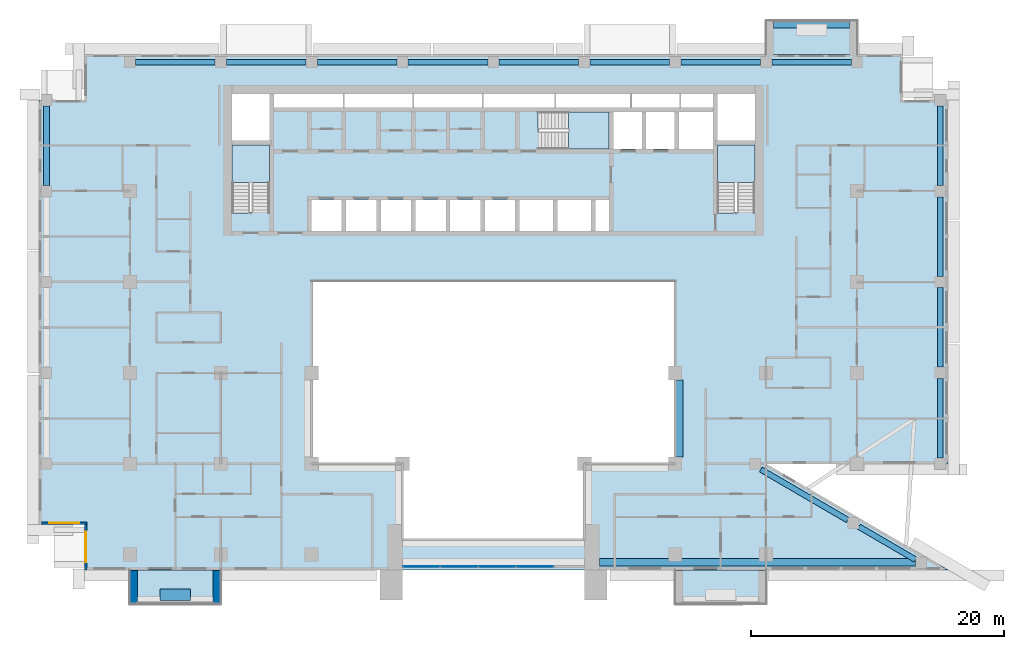
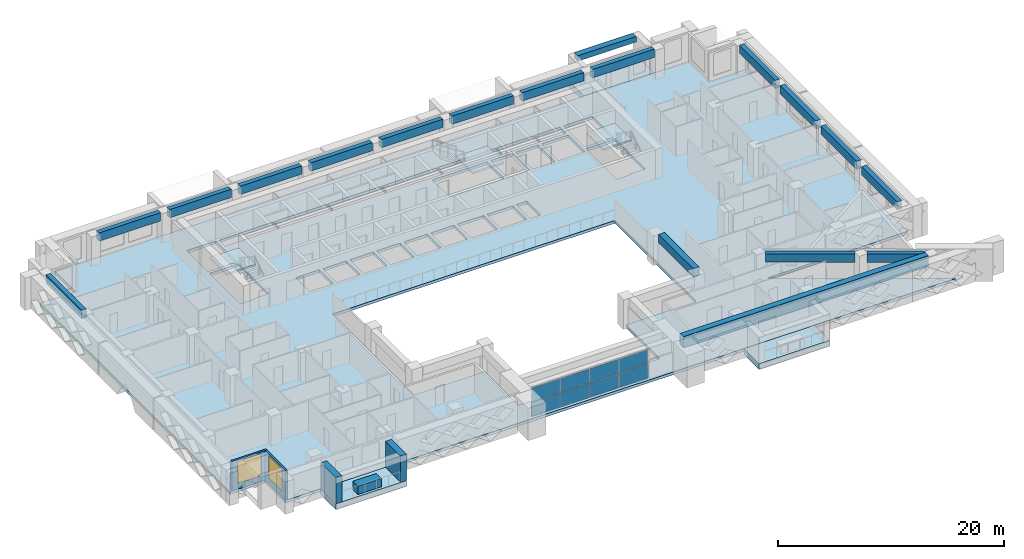
# One storey, part 5 of 19: 18 beams, 8 plates, 7 slabs, 5 walls, 2 windows, 2 openings, 4 elements without a shape of their own.
"""IFC4 building model written with IfcOpenShell, lengths in metres."""

from ifc_helpers import new_model, si_unit, direction, frame, frame_2d, origin, origin_2d, place, context, subcontext, project, spatial, polyline, rectangle, outline, extrude, source, transform, mapped, material, layer, layer_set, material_profile, profile_set, type_object, element, fill, aggregate, save


model = new_model("IFC4")

# Units and contexts
model_context = context("Model", 3, precision=1e-05, world=origin(), true_north=direction((0.0, 1.0)))
body_context = subcontext(model_context, "Body", "Model", "MODEL_VIEW")
ifc_project = project(units=[si_unit("LENGTHUNIT", "METRE"), si_unit("AREAUNIT", "SQUARE_METRE"), si_unit("VOLUMEUNIT", "CUBIC_METRE"), si_unit("PLANEANGLEUNIT", "RADIAN"), si_unit("MASSUNIT", "GRAM", prefix="KILO")], contexts=[model_context])

# Site, building, storey
site_placement = place(None, origin())
site = spatial("IfcSite", under=ifc_project, at=site_placement, CompositionType="ELEMENT")
building_placement = place(site_placement, origin())
building = spatial("IfcBuilding", under=site, at=building_placement, Name="Saffron Iwan Residences", CompositionType="ELEMENT")
storey_placement = place(building_placement, frame((0.0, 0.0, 116.5)))
storey = spatial("IfcBuildingStorey", under=building, at=storey_placement, Name="L30", CompositionType="ELEMENT", Elevation=116.5)

# Beams
ifc_material_1 = material(Name="Concrete C50/60", Category="concrete")
ifc_material_profile_1 = material_profile(ifc_material_1, rectangle(XDim=0.449951171875, YDim=0.89990234375, at=origin_2d()), Name="RC 450x900")
ifc_profile_set_1 = profile_set([ifc_material_profile_1], Name="Concrete C50/60")
beam_type_1 = type_object("IfcBeamType", Name="SPANDREL BEAM RC 450x900 C50/60 TOP 3200", PredefinedType="SPANDREL", material=ifc_profile_set_1)
shared_shape_1 = source(origin(), body_context, "Body", "SweptSolid", [
    extrude(rectangle(XDim=0.449951171875, YDim=0.89990234375, at=origin_2d()), origin(), (0.0, 0.0, 1.0), 5.184814453125),
])
beam_1_placement = place(storey_placement, frame((79.34765625, 43.019287109375, 2.75), z_axis=(0.86377206948, -0.503882736345, 0.0), x_axis=(0.503882736345, 0.86377206948, 0.0)))
element("IfcBeam", 1, at=beam_1_placement, inside=storey, type_object=beam_type_1, Name="Spandrel beam", PredefinedType="SPANDREL", context=body_context, shape_type="MappedRepresentation", body=[
    mapped(shared_shape_1, transform((0.0, 0.0, 0.0))),
])
shared_shape_2 = source(origin(), body_context, "Body", "SweptSolid", [
    extrude(rectangle(XDim=0.449951171875, YDim=0.89990234375, at=origin_2d()), origin(), (0.0, 0.0, 1.0), 7.9501953125),
])
beam_2_placement = place(storey_placement, frame((71.58056640625, 47.550048828125, 2.75), z_axis=(0.863778900898, -0.503871025524, 0.0), x_axis=(0.503871025524, 0.863778900898, 0.0)))
element("IfcBeam", 2, at=beam_2_placement, inside=storey, type_object=beam_type_1, Name="Spandrel beam", PredefinedType="SPANDREL", context=body_context, shape_type="MappedRepresentation", body=[
    mapped(shared_shape_2, transform((0.0, 0.0, 0.0))),
])
shared_shape_3 = source(origin(), body_context, "Body", "SweptSolid", [
    extrude(rectangle(XDim=0.449951171875, YDim=0.89990234375, at=origin_2d()), origin(), (0.0, 0.0, 1.0), 6.300048828125),
])
for number, where, z_axis, x_axis, name in (
    (3, (85.800048828125, 54.75, 2.75), (0.0, -1.0, 0.0), (1.0, 0.0, 0.0), "Spandrel beam"),
    (4, (85.800048828125, 61.949951171875, 2.75), (0.0, -1.0, 0.0), (1.0, 0.0, 0.0), "Spandrel beam"),
    (5, (15.0, 70.050048828125, 2.75), (0.0, 1.0, 0.0), (-1.0, 0.0, 0.0), "Spandrel beam"),
    (6, (85.800048828125, 76.35009765625, 2.75), (0.0, -1.0, 0.0), (1.0, 0.0, 0.0), "Spandrel beam"),
    (7, (22.050048828125, 79.800048828125, 2.75), (1.0, 0.0, 0.0), (0.0, 1.0, 0.0), "Spandrel beam"),
    (8, (29.25, 79.800048828125, 2.75), (1.0, 0.0, 0.0), (0.0, 1.0, 0.0), "Spandrel beam"),
    (9, (36.449951171875, 79.800048828125, 2.75), (1.0, 0.0, 0.0), (0.0, 1.0, 0.0), "Spandrel beam"),
    (10, (43.64990234375, 79.800048828125, 2.75), (1.0, 0.0, 0.0), (0.0, 1.0, 0.0), "Spandrel beam"),
    (11, (58.050048828125, 79.800048828125, 2.75), (1.0, 0.0, 0.0), (0.0, 1.0, 0.0), "Spandrel beam"),
    (12, (65.25, 79.800048828125, 2.75), (1.0, 0.0, 0.0), (0.0, 1.0, 0.0), "Spandrel beam"),
    (13, (72.449951171875, 79.800048828125, 2.75), (1.0, 0.0, 0.0), (0.0, 1.0, 0.0), "Spandrel beam"),
):
    element("IfcBeam", number, at=place(storey_placement, frame(where, z_axis=z_axis, x_axis=x_axis)), inside=storey, type_object=beam_type_1, Name=name, PredefinedType="SPANDREL", context=body_context, shape_type="MappedRepresentation", body=[
        mapped(shared_shape_3, transform((0.0, 0.0, 0.0))),
    ])
shared_shape_4 = source(origin(), body_context, "Body", "SweptSolid", [
    extrude(rectangle(XDim=0.449951171875, YDim=0.89990234375, at=origin_2d()), origin(), (0.0, 0.0, 1.0), 6.2998046875),
])
for number, where, z_axis, x_axis, name in (
    (14, (85.800048828125, 69.14990234375, 2.75), (0.0, -1.0, 0.0), (1.0, 0.0, 0.0), "Spandrel beam"),
    (15, (50.85009765625, 79.800048828125, 2.75), (1.0, 0.0, 0.0), (0.0, 1.0, 0.0), "Spandrel beam"),
):
    element("IfcBeam", number, at=place(storey_placement, frame(where, z_axis=z_axis, x_axis=x_axis)), inside=storey, type_object=beam_type_1, Name=name, PredefinedType="SPANDREL", context=body_context, shape_type="MappedRepresentation", body=[
        mapped(shared_shape_4, transform((0.0, 0.0, 0.0))),
    ])
ifc_material_profile_2 = material_profile(ifc_material_1, rectangle(XDim=0.60009765625, YDim=1.199951171875, at=origin_2d()), Name="RC 600x1200")
ifc_profile_set_2 = profile_set([ifc_material_profile_2], Name="Concrete C50/60")
beam_type_2 = type_object("IfcBeamType", Name="LINTEL BEAM RC 600x1200 C50/60 TOP 3200", PredefinedType="LINTEL", material=ifc_profile_set_2)
shared_shape_5 = source(origin(), body_context, "Body", "SweptSolid", [
    extrude(rectangle(XDim=0.60009765625, YDim=1.199951171875, at=origin_2d()), origin(), (0.0, 0.0, 1.0), 25.026123046875),
])
beam_3_placement = place(storey_placement, frame((83.826171875, 40.199951171875, 2.60009765625), z_axis=(-1.0, 0.0, 0.0), x_axis=(0.0, -1.0, 0.0)))
element("IfcBeam", 16, at=beam_3_placement, inside=storey, type_object=beam_type_2, Name="Lintel beam over the iwan", PredefinedType="LINTEL", context=body_context, shape_type="MappedRepresentation", body=[
    mapped(shared_shape_5, transform((0.0, 0.0, 0.0))),
])
ifc_material_profile_3 = material_profile(ifc_material_1, rectangle(XDim=0.60009765625, YDim=0.89990234375, at=origin_2d()), Name="RC 600x900")
ifc_profile_set_3 = profile_set([ifc_material_profile_3], Name="Concrete C50/60")
beam_type_3 = type_object("IfcBeamType", Name="BEAM RC 600x900 C50/60 TOP 3200", PredefinedType="BEAM", material=ifc_profile_set_3)
shared_shape_6 = source(origin(), body_context, "Body", "SweptSolid", [
    extrude(rectangle(XDim=0.60009765625, YDim=0.89990234375, at=origin_2d()), origin(), (0.0, 0.0, 1.0), 6.099853515625),
])
beam_4_placement = place(storey_placement, frame((65.10009765625, 54.64990234375, 2.75), z_axis=(0.0, -1.0, 0.0), x_axis=(1.0, 0.0, 0.0)))
element("IfcBeam", 17, at=beam_4_placement, inside=storey, type_object=beam_type_3, Name="Atrium edge beam", PredefinedType="BEAM", context=body_context, shape_type="MappedRepresentation", body=[
    mapped(shared_shape_6, transform((0.0, 0.0, 0.0))),
])
ifc_material_2 = material(Name="Concrete C50/60 white painted", Category="concrete")
ifc_material_profile_4 = material_profile(ifc_material_2, rectangle(XDim=0.60009765625, YDim=0.60009765625, at=origin_2d()), Name="BALCONY FASCIA BEAM 600 x 600")
ifc_profile_set_4 = profile_set([ifc_material_profile_4], Name="Concrete C50/60 white painted")
beam_type_4 = type_object("IfcBeamType", Name="BALCONY FASCIA BEAM 600 x 600", PredefinedType="BEAM", material=ifc_profile_set_4)
shared_shape_7 = source(origin(), body_context, "Body", "SweptSolid", [
    extrude(rectangle(XDim=0.60009765625, YDim=0.60009765625, at=origin_2d()), origin(), (0.0, 0.0, 1.0), 6.0),
])
beam_5_placement = place(storey_placement, frame((78.60009765625, 82.800048828125, 2.550048828125), z_axis=(-1.0, 0.0, 0.0), x_axis=(0.0, -1.0, 0.0)))
element("IfcBeam", 18, at=beam_5_placement, inside=storey, type_object=beam_type_4, Name="Balcony fascia beam L30 F5-0", PredefinedType="BEAM", context=body_context, shape_type="MappedRepresentation", body=[
    mapped(shared_shape_7, transform((0.0, 0.0, 0.0))),
])

# Slabs
ifc_layer_1 = layer(ifc_material_2, 0.60009765625)
ifc_layer_set_1 = layer_set([ifc_layer_1], Name="Concrete C50/60 white painted")
slab_type_1 = type_object("IfcSlabType", Name="BALCONY FRAME SLAB 600", PredefinedType="FLOOR", material=ifc_layer_set_1)
slab_1_placement = place(storey_placement, frame((0.0, 0.0, -0.60009765625)))
element("IfcSlab", 19, at=slab_1_placement, inside=storey, type_object=slab_type_1, Name="Balcony frame slab L30 F5-0", PredefinedType="FLOOR", context=body_context, shape_type="SweptSolid", body=[
    extrude(outline(polyline([(79.199951171875, 83.10009765625), (72.0, 83.10009765625), (72.0, 80.39990234375), (79.199951171875, 80.39990234375), (79.199951171875, 83.10009765625)])), origin(), (0.0, 0.0, 1.0), 0.60009765625),
])
slab_2_placement = place(storey_placement, frame((0.0, 0.0, -0.60009765625)))
element("IfcSlab", 20, at=slab_2_placement, inside=storey, type_object=slab_type_1, Name="Balcony frame slab L30 11-0", PredefinedType="FLOOR", context=body_context, shape_type="SweptSolid", body=[
    extrude(outline(polyline([(21.60009765625, 36.89990234375), (28.800048828125, 36.89990234375), (28.800048828125, 39.60009765625), (21.60009765625, 39.60009765625), (21.60009765625, 36.89990234375)])), origin(), (0.0, 0.0, 1.0), 0.60009765625),
])
slab_3_placement = place(storey_placement, frame((0.0, 0.0, -0.60009765625)))
element("IfcSlab", 21, at=slab_3_placement, inside=storey, type_object=slab_type_1, Name="Balcony frame slab L30 11-1", PredefinedType="FLOOR", context=body_context, shape_type="SweptSolid", body=[
    extrude(outline(polyline([(64.800048828125, 36.89990234375), (72.0, 36.89990234375), (72.0, 39.60009765625), (64.800048828125, 39.60009765625), (64.800048828125, 36.89990234375)])), origin(), (0.0, 0.0, 1.0), 0.60009765625),
])
ifc_material_3 = material(Name="Concrete C40/50", Category="concrete")
ifc_layer_2 = layer(ifc_material_3, 0.300048828125)
ifc_layer_set_2 = layer_set([ifc_layer_2], Name="Concrete C40/50")
slab_type_2 = type_object("IfcSlabType", Name="PT PLATE 300 C40/50", PredefinedType="FLOOR", material=ifc_layer_set_2)
slab_4_placement = place(storey_placement, frame((0.0, 0.0, -0.300048828125)))
element("IfcSlab", 22, at=slab_4_placement, inside=storey, type_object=slab_type_2, Name="Floor slab L30", PredefinedType="FLOOR", context=body_context, shape_type="SweptSolid", body=[
    extrude(outline(polyline([(14.39990234375, 43.199951171875), (14.39990234375, 76.800048828125), (18.0, 76.800048828125), (18.0, 80.39990234375), (82.800048828125, 80.39990234375), (82.800048828125, 76.800048828125), (86.39990234375, 76.800048828125), (86.39990234375, 48.0), (72.0, 48.0), (86.39990234375, 39.60009765625), (18.0, 39.60009765625), (18.0, 43.199951171875), (14.39990234375, 43.199951171875)]), holes=[polyline([(64.800048828125, 48.0), (64.800048828125, 62.39990234375), (36.0, 62.39990234375), (36.0, 48.0), (43.199951171875, 48.0), (43.199951171875, 42.0), (57.60009765625, 42.0), (57.60009765625, 48.0), (64.800048828125, 48.0)]), polyline([(38.375, 68.875), (35.97509765625, 68.875), (35.97509765625, 66.449951171875), (38.375, 66.449951171875), (38.375, 68.875)]), polyline([(41.125, 66.449951171875), (41.125, 68.875), (38.72509765625, 68.875), (38.72509765625, 66.449951171875), (41.125, 66.449951171875)]), polyline([(43.875, 66.449951171875), (43.875, 68.875), (41.47509765625, 68.875), (41.47509765625, 66.449951171875), (43.875, 66.449951171875)]), polyline([(46.625, 68.875), (44.22509765625, 68.875), (44.22509765625, 66.449951171875), (46.625, 66.449951171875), (46.625, 68.875)]), polyline([(49.375, 66.449951171875), (49.375, 68.875), (46.97509765625, 68.875), (46.97509765625, 66.449951171875), (49.375, 66.449951171875)]), polyline([(52.125, 66.449951171875), (52.125, 68.875), (49.72509765625, 68.875), (49.72509765625, 66.449951171875), (52.125, 66.449951171875)]), polyline([(29.699951171875, 73.25), (29.699951171875, 67.949951171875), (29.699951171875, 67.8505859375), (31.10009765625, 67.8505859375), (31.10009765625, 67.949951171875), (32.64990234375, 67.949951171875), (32.64990234375, 73.25), (29.699951171875, 73.25)]), polyline([(32.64990234375, 73.60009765625), (32.64990234375, 77.300048828125), (29.699951171875, 77.300048828125), (29.699951171875, 73.60009765625), (32.64990234375, 73.60009765625)]), polyline([(38.5, 76.22509765625), (38.5, 77.300048828125), (33.0, 77.300048828125), (33.0, 76.22509765625), (38.5, 76.22509765625)]), polyline([(44.0, 77.300048828125), (38.60009765625, 77.300048828125), (38.60009765625, 76.22509765625), (44.0, 76.22509765625), (44.0, 77.300048828125)]), polyline([(49.5, 76.22509765625), (49.5, 77.300048828125), (44.10009765625, 77.300048828125), (44.10009765625, 76.22509765625), (49.5, 76.22509765625)]), polyline([(55.25, 76.22509765625), (55.25, 77.300048828125), (49.60009765625, 77.300048828125), (49.60009765625, 76.22509765625), (55.25, 76.22509765625)]), polyline([(55.125, 68.875), (52.47509765625, 68.875), (52.47509765625, 66.449951171875), (55.125, 66.449951171875), (55.125, 68.875)]), polyline([(58.125, 66.449951171875), (58.125, 68.875), (55.47509765625, 68.875), (55.47509765625, 66.449951171875), (58.125, 66.449951171875)]), polyline([(59.550048828125, 66.449951171875), (59.550048828125, 68.875), (58.47509765625, 68.875), (58.47509765625, 66.449951171875), (59.550048828125, 66.449951171875)]), polyline([(68.14990234375, 73.25), (68.14990234375, 67.949951171875), (68.14990234375, 67.8505859375), (69.550048828125, 67.8505859375), (69.550048828125, 67.949951171875), (71.10009765625, 67.949951171875), (71.10009765625, 73.25), (68.14990234375, 73.25)]), polyline([(53.925537109375, 74.47509765625), (54.02490234375, 74.47509765625), (54.02490234375, 72.925048828125), (59.550048828125, 72.925048828125), (59.550048828125, 75.875), (54.02490234375, 75.875), (53.925537109375, 75.875), (53.925537109375, 74.47509765625)]), polyline([(62.14990234375, 72.925048828125), (62.14990234375, 75.875), (59.89990234375, 75.875), (59.89990234375, 72.925048828125), (62.14990234375, 72.925048828125)]), polyline([(64.75, 75.875), (62.5, 75.875), (62.5, 72.925048828125), (64.75, 72.925048828125), (64.75, 75.875)]), polyline([(67.800048828125, 72.925048828125), (67.800048828125, 75.875), (65.10009765625, 75.875), (65.10009765625, 72.925048828125), (67.800048828125, 72.925048828125)]), polyline([(71.10009765625, 73.60009765625), (71.10009765625, 77.300048828125), (68.14990234375, 77.300048828125), (68.14990234375, 73.60009765625), (71.10009765625, 73.60009765625)]), polyline([(61.25, 77.300048828125), (55.35009765625, 77.300048828125), (55.35009765625, 76.22509765625), (61.25, 76.22509765625), (61.25, 77.300048828125)]), polyline([(65.14990234375, 76.22509765625), (65.14990234375, 77.300048828125), (61.35009765625, 77.300048828125), (61.35009765625, 76.22509765625), (65.14990234375, 76.22509765625)]), polyline([(67.800048828125, 76.22509765625), (67.800048828125, 77.300048828125), (65.25, 77.300048828125), (65.25, 76.22509765625), (67.800048828125, 76.22509765625)])]), origin(), (0.0, 0.0, 1.0), 0.300048828125),
])

# Stair, slab
stair_type = type_object("IfcStairType", Name="Stair ST-CORE", PredefinedType="HALF_TURN_STAIR", material=ifc_material_1)
stair_1_placement = place(storey_placement, origin())
stair_1 = element("IfcStair", 23, at=stair_1_placement, inside=storey, type_object=stair_type, Name="L30 Exit Stair ST-W", PredefinedType="HALF_TURN_STAIR")
ifc_layer_3 = layer(ifc_material_1, 0.199951171875)
ifc_layer_set_3 = layer_set([ifc_layer_3], Name="Concrete C50/60")
slab_type_3 = type_object("IfcSlabType", Name="Stair landing SL-RC", PredefinedType="LANDING", material=ifc_layer_set_3)
slab_5_placement = place(storey_placement, frame((0.0, 0.0, 1.5498046875)))
slab_5 = element("IfcSlab", 24, at=slab_5_placement, type_object=slab_type_3, Name="ST-W landing 1", PredefinedType="LANDING", context=body_context, shape_type="SweptSolid", body=[
    extrude(outline(polyline([(32.64990234375, 70.280029296875), (32.64990234375, 73.25), (29.699951171875, 73.25), (29.699951171875, 70.280029296875), (32.64990234375, 70.280029296875)])), origin(), (0.0, 0.0, 1.0), 0.2001953125),
])
aggregate(stair_1, [slab_5])

stair_2_placement = place(storey_placement, origin())
stair_2 = element("IfcStair", 25, at=stair_2_placement, inside=storey, type_object=stair_type, Name="L30 Exit Stair ST-C", PredefinedType="HALF_TURN_STAIR")
slab_6_placement = place(storey_placement, frame((0.0, 0.0, 1.5498046875)))
slab_6 = element("IfcSlab", 26, at=slab_6_placement, type_object=slab_type_3, Name="ST-C landing 1", PredefinedType="LANDING", context=body_context, shape_type="SweptSolid", body=[
    extrude(outline(polyline([(56.35498046875, 72.925048828125), (59.550048828125, 72.925048828125), (59.550048828125, 75.875), (56.35498046875, 75.875), (56.35498046875, 72.925048828125)])), origin(), (0.0, 0.0, 1.0), 0.2001953125),
])
aggregate(stair_2, [slab_6])

stair_3_placement = place(storey_placement, origin())
stair_3 = element("IfcStair", 27, at=stair_3_placement, inside=storey, type_object=stair_type, Name="L30 Exit Stair ST-E", PredefinedType="HALF_TURN_STAIR")
slab_7_placement = place(storey_placement, frame((0.0, 0.0, 1.5498046875)))
slab_7 = element("IfcSlab", 28, at=slab_7_placement, type_object=slab_type_3, Name="ST-E landing 1", PredefinedType="LANDING", context=body_context, shape_type="SweptSolid", body=[
    extrude(outline(polyline([(71.10009765625, 70.280029296875), (71.10009765625, 73.25), (68.14990234375, 73.25), (68.14990234375, 70.280029296875), (71.10009765625, 70.280029296875)])), origin(), (0.0, 0.0, 1.0), 0.2001953125),
])
aggregate(stair_3, [slab_7])

# Curtain wall, plates
ifc_material_4 = material(Name="Clear glass, laminated double glazed", Category="glass")
ifc_layer_4 = layer(ifc_material_4, 0.199951171875)
ifc_layer_set_4 = layer_set([ifc_layer_4], Name="Clear glass, laminated double glazed")
curtain_wall_type = type_object("IfcCurtainWallType", Name="CW-B IWAN PORTAL", PredefinedType="NOTDEFINED", material=ifc_layer_set_4)
curtain_wall_placement = place(storey_placement, origin())
curtain_wall = element("IfcCurtainWall", 29, at=curtain_wall_placement, inside=storey, type_object=curtain_wall_type, Name="Iwan portal glazing L30.1", PredefinedType="NOTDEFINED")
ifc_layer_5 = layer(ifc_material_4, 0.028076171875)
ifc_layer_set_5 = layer_set([ifc_layer_5], Name="Clear glass, laminated double glazed")
plate_type = type_object("IfcPlateType", Name="CW-B PANEL 28", PredefinedType="CURTAIN_PANEL", material=ifc_layer_set_5)
shared_shape_8 = source(origin(), body_context, "Body", "SweptSolid", [
    extrude(rectangle(XDim=2.909912109375, YDim=0.028076171875, at=origin_2d()), origin(), (0.0, 0.0, 1.0), 1.510009765625),
])
plate_1_placement = place(storey_placement, frame((44.715087890625, 39.85009765625, 0.06005859375), z_axis=(0.0, 0.0, 1.0), x_axis=(1.0, 0.0, 0.0)))
plate_1 = element("IfcPlate", 30, at=plate_1_placement, type_object=plate_type, Name="CW-B panel 1.1", PredefinedType="CURTAIN_PANEL", context=body_context, shape_type="MappedRepresentation", body=[
    mapped(shared_shape_8, transform((0.0, 0.0, 0.0))),
])
plate_2_placement = place(storey_placement, frame((44.715087890625, 39.85009765625, 1.6298828125), z_axis=(0.0, 0.0, 1.0), x_axis=(1.0, 0.0, 0.0)))
plate_2 = element("IfcPlate", 31, at=plate_2_placement, type_object=plate_type, Name="CW-B panel 1.2", PredefinedType="CURTAIN_PANEL", context=body_context, shape_type="MappedRepresentation", body=[
    mapped(shared_shape_8, transform((0.0, 0.0, 0.0))),
])
plate_3_placement = place(storey_placement, frame((53.68505859375, 39.85009765625, 0.06005859375), z_axis=(0.0, 0.0, 1.0), x_axis=(1.0, 0.0, 0.0)))
plate_3 = element("IfcPlate", 32, at=plate_3_placement, type_object=plate_type, Name="CW-B panel 4.1", PredefinedType="CURTAIN_PANEL", context=body_context, shape_type="MappedRepresentation", body=[
    mapped(shared_shape_8, transform((0.0, 0.0, 0.0))),
])
plate_4_placement = place(storey_placement, frame((53.68505859375, 39.85009765625, 1.6298828125), z_axis=(0.0, 0.0, 1.0), x_axis=(1.0, 0.0, 0.0)))
plate_4 = element("IfcPlate", 33, at=plate_4_placement, type_object=plate_type, Name="CW-B panel 4.2", PredefinedType="CURTAIN_PANEL", context=body_context, shape_type="MappedRepresentation", body=[
    mapped(shared_shape_8, transform((0.0, 0.0, 0.0))),
])
shared_shape_9 = source(origin(), body_context, "Body", "SweptSolid", [
    extrude(rectangle(XDim=2.93994140625, YDim=0.028076171875, at=origin_2d()), origin(), (0.0, 0.0, 1.0), 1.510009765625),
])
plate_5_placement = place(storey_placement, frame((47.699951171875, 39.85009765625, 0.06005859375), z_axis=(0.0, 0.0, 1.0), x_axis=(1.0, 0.0, 0.0)))
plate_5 = element("IfcPlate", 34, at=plate_5_placement, type_object=plate_type, Name="CW-B panel 2.1", PredefinedType="CURTAIN_PANEL", context=body_context, shape_type="MappedRepresentation", body=[
    mapped(shared_shape_9, transform((0.0, 0.0, 0.0))),
])
plate_6_placement = place(storey_placement, frame((47.699951171875, 39.85009765625, 1.6298828125), z_axis=(0.0, 0.0, 1.0), x_axis=(1.0, 0.0, 0.0)))
plate_6 = element("IfcPlate", 35, at=plate_6_placement, type_object=plate_type, Name="CW-B panel 2.2", PredefinedType="CURTAIN_PANEL", context=body_context, shape_type="MappedRepresentation", body=[
    mapped(shared_shape_9, transform((0.0, 0.0, 0.0))),
])
plate_7_placement = place(storey_placement, frame((50.699951171875, 39.85009765625, 0.06005859375), z_axis=(0.0, 0.0, 1.0), x_axis=(1.0, 0.0, 0.0)))
plate_7 = element("IfcPlate", 36, at=plate_7_placement, type_object=plate_type, Name="CW-B panel 3.1", PredefinedType="CURTAIN_PANEL", context=body_context, shape_type="MappedRepresentation", body=[
    mapped(shared_shape_9, transform((0.0, 0.0, 0.0))),
])
plate_8_placement = place(storey_placement, frame((50.699951171875, 39.85009765625, 1.6298828125), z_axis=(0.0, 0.0, 1.0), x_axis=(1.0, 0.0, 0.0)))
plate_8 = element("IfcPlate", 37, at=plate_8_placement, type_object=plate_type, Name="CW-B panel 3.2", PredefinedType="CURTAIN_PANEL", context=body_context, shape_type="MappedRepresentation", body=[
    mapped(shared_shape_9, transform((0.0, 0.0, 0.0))),
])
aggregate(curtain_wall, [plate_1, plate_2, plate_5, plate_6, plate_7, plate_8, plate_3, plate_4])

# Walls
ifc_layer_6 = layer(ifc_material_2, 0.60009765625)
ifc_layer_set_6 = layer_set([ifc_layer_6], Name="Concrete C50/60 white painted")
wall_type_1 = type_object("IfcWallType", Name="BALCONY FIN 600", PredefinedType="SOLIDWALL", material=ifc_layer_set_6)
for number, where, z_axis, x_axis, name in (
    (38, (21.89990234375, 39.550048828125, 0.0), (0.0, 0.0, 1.0), (0.0, -1.0, 0.0), "Balcony fin L30 11-0a"),
    (39, (28.5, 39.550048828125, 0.0), (0.0, 0.0, 1.0), (0.0, -1.0, 0.0), "Balcony fin L30 11-0b"),
):
    element("IfcWall", number, at=place(storey_placement, frame(where, z_axis=z_axis, x_axis=x_axis)), inside=storey, type_object=wall_type_1, Name=name, PredefinedType="SOLIDWALL", context=body_context, shape_type="SweptSolid", body=[
        extrude(rectangle(XDim=2.650146484375, YDim=0.60009765625, at=frame_2d((1.3251953125, 0.0))), origin(), (0.0, 0.0, 1.0), 2.85009765625),
    ])
ifc_material_5 = material(Name="Concrete C35/45 white painted", Category="concrete")
ifc_layer_7 = layer(ifc_material_5, 0.14990234375)
ifc_layer_set_7 = layer_set([ifc_layer_7], Name="Concrete C35/45 white painted")
wall_type_2 = type_object("IfcWallType", Name="BALCONY PLANTER", PredefinedType="SOLIDWALL", material=ifc_layer_set_7)
wall_1_placement = place(storey_placement, frame((24.0, 37.625, 0.0), z_axis=(0.0, 0.0, 1.0), x_axis=(1.0, 0.0, 0.0)))
element("IfcWall", 40, at=wall_1_placement, inside=storey, type_object=wall_type_2, Name="PLANTER L30 11-0", PredefinedType="SOLIDWALL", context=body_context, shape_type="SweptSolid", body=[
    extrude(rectangle(XDim=2.39990234375, YDim=0.89990234375, at=frame_2d((1.199951171875, 0.0))), origin(), (0.0, 0.0, 1.0), 0.89990234375),
])

# Wall, opening, window
ifc_layer_8 = layer(ifc_material_3, 0.199951171875)
ifc_layer_set_8 = layer_set([ifc_layer_8], Name="Concrete C40/50")
wall_type_3 = type_object("IfcWallType", Name="EXTERNAL WALL 200", PredefinedType="SOLIDWALL", material=ifc_layer_set_8)
wall_2_placement = place(storey_placement, frame((14.60009765625, 43.300048828125, 0.0), z_axis=(0.0, 0.0, 1.0), x_axis=(1.0, 0.0, 0.0)))
wall_2 = element("IfcWall", 41, at=wall_2_placement, inside=storey, type_object=wall_type_3, Name="External wall L30 F9.0", PredefinedType="SOLIDWALL", context=body_context, shape_type="SweptSolid", body=[
    extrude(rectangle(XDim=3.599853515625, YDim=0.199951171875, at=frame_2d((1.7998046875, 0.0))), origin(), (0.0, 0.0, 1.0), 3.199951171875),
])
opening_1_placement = place(wall_2_placement, frame((0.60009765625, 0.0, 0.60009765625)))
opening_1 = element("IfcOpeningElement", 42, at=opening_1_placement, cuts=wall_2, Name="Opening W1", PredefinedType="OPENING", context=body_context, shape_type="SweptSolid", body=[
    extrude(rectangle(XDim=2.39990234375, YDim=2.39990234375, at=frame_2d((1.199951171875, 1.199951171875))), frame((0.0, 0.10986328125, 0.0), z_axis=(0.0, -1.0, 0.0), x_axis=(1.0, 0.0, 0.0)), (0.0, 0.0, 1.0), 0.219970703125),
])
window_type = type_object("IfcWindowType", Name="WINDOW 2400 x 2400", PartitioningType="DOUBLE_PANEL_VERTICAL", PredefinedType="WINDOW", material=ifc_material_4)
window_1_placement = place(opening_1_placement, origin())
window_1 = element("IfcWindow", 43, at=window_1_placement, inside=storey, type_object=window_type, Name="Window L30 F9.0", OverallHeight=2.39990234375, OverallWidth=2.39990234375, PartitioningType="DOUBLE_PANEL_VERTICAL", PredefinedType="WINDOW", context=body_context, shape_type="SweptSolid", body=[
    extrude(rectangle(XDim=2.39990234375, YDim=2.39990234375, at=frame_2d((1.199951171875, 1.199951171875))), frame((0.0, 0.030029296875, 0.0), z_axis=(0.0, -1.0, 0.0), x_axis=(1.0, 0.0, 0.0)), (0.0, 0.0, 1.0), 0.06005859375),
])
fill(opening_1, window_1)

wall_3_placement = place(storey_placement, frame((18.10009765625, 43.199951171875, 0.0), z_axis=(0.0, 0.0, 1.0), x_axis=(0.0, -1.0, 0.0)))
wall_3 = element("IfcWall", 44, at=wall_3_placement, inside=storey, type_object=wall_type_3, Name="External wall L30 F10.0", PredefinedType="SOLIDWALL", context=body_context, shape_type="SweptSolid", body=[
    extrude(rectangle(XDim=3.599853515625, YDim=0.199951171875, at=frame_2d((1.7998046875, 0.0))), origin(), (0.0, 0.0, 1.0), 3.199951171875),
])
opening_2_placement = place(wall_3_placement, frame((0.60009765625, 0.0, 0.60009765625)))
opening_2 = element("IfcOpeningElement", 45, at=opening_2_placement, cuts=wall_3, Name="Opening W1", PredefinedType="OPENING", context=body_context, shape_type="SweptSolid", body=[
    extrude(rectangle(XDim=2.39990234375, YDim=2.39990234375, at=frame_2d((1.199951171875, 1.199951171875))), frame((0.0, 0.10986328125, 0.0), z_axis=(0.0, -1.0, 0.0), x_axis=(1.0, 0.0, 0.0)), (0.0, 0.0, 1.0), 0.219970703125),
])
window_2_placement = place(opening_2_placement, origin())
window_2 = element("IfcWindow", 46, at=window_2_placement, inside=storey, type_object=window_type, Name="Window L30 F10.0", OverallHeight=2.39990234375, OverallWidth=2.39990234375, PartitioningType="DOUBLE_PANEL_VERTICAL", PredefinedType="WINDOW", context=body_context, shape_type="SweptSolid", body=[
    extrude(rectangle(XDim=2.39990234375, YDim=2.39990234375, at=frame_2d((1.199951171875, 1.199951171875))), frame((0.0, 0.030029296875, 0.0), z_axis=(0.0, -1.0, 0.0), x_axis=(1.0, 0.0, 0.0)), (0.0, 0.0, 1.0), 0.06005859375),
])
fill(opening_2, window_2)

save(model, "model.ifc")
